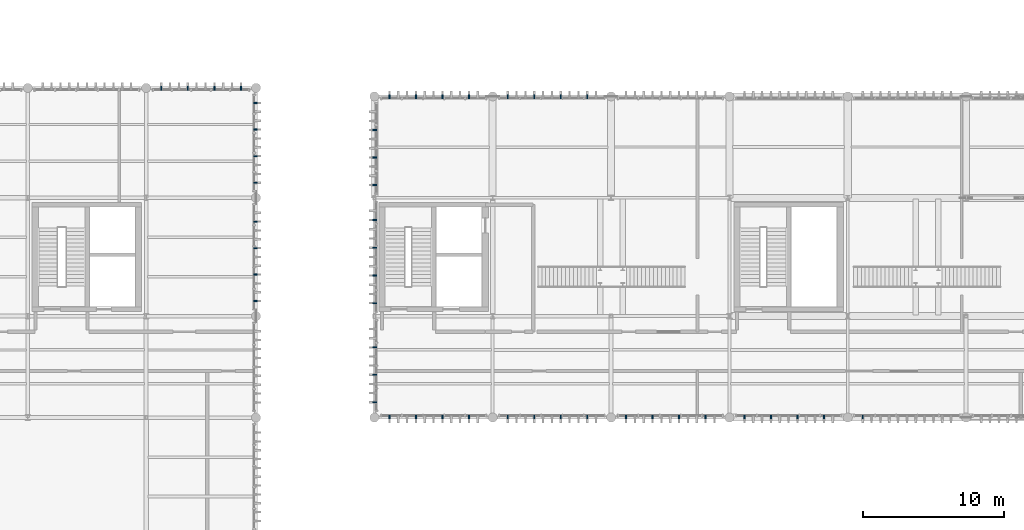
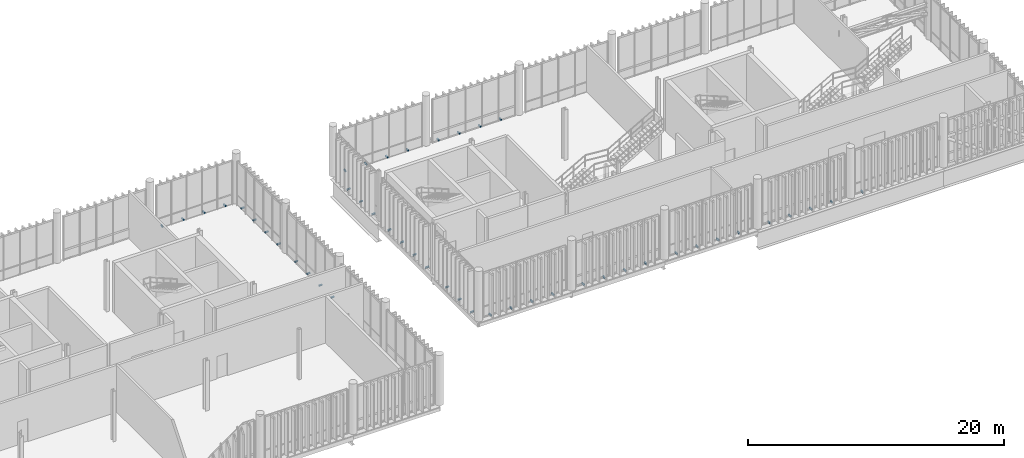
# One storey, part 77 of 86: 47 discrete accessories.
"""IFC4 building model written with IfcOpenShell, lengths in metres."""

from ifc_helpers import new_model, si_unit, direction, frame, origin_with_axes, origin_2d_with_axis, place, context, subcontext, project, spatial, rectangle, extrude, material, type_object, element, save


model = new_model("IFC4")

# Units and contexts
model_context = context("Model", 3, precision=1e-05, world=origin_with_axes(), true_north=direction((0.0, 1.0)))
body_context = subcontext(model_context, "Body", "Model", "MODEL_VIEW")
ifc_project = project(units=[si_unit("LENGTHUNIT", "METRE"), si_unit("AREAUNIT", "SQUARE_METRE"), si_unit("VOLUMEUNIT", "CUBIC_METRE"), si_unit("PLANEANGLEUNIT", "RADIAN"), si_unit("MASSUNIT", "GRAM", prefix="KILO"), si_unit("THERMODYNAMICTEMPERATUREUNIT", "KELVIN")], contexts=[model_context])

# Site, building, storey
site_placement = place(None, origin_with_axes())
site = spatial("IfcSite", under=ifc_project, at=site_placement, CompositionType="ELEMENT")
building_placement = place(site_placement, origin_with_axes())
building = spatial("IfcBuilding", under=site, at=building_placement, Name="Montbau Bow Law Courts", CompositionType="ELEMENT")
storey_placement = place(building_placement, frame((0.0, 0.0, 29.7), z_axis=(0.0, 0.0, 1.0), x_axis=(1.0, 0.0, 0.0)))
storey = spatial("IfcBuildingStorey", under=building, at=storey_placement, Name="L06", CompositionType="ELEMENT", Elevation=29.7)

# Discrete accessories
ifc_material = material(Name="Stainless Steel AISI 316L Outrigger Louvre Bracket", Category="steel")
discrete_accessory_type = type_object("IfcDiscreteAccessoryType", Name="DA-BRK-01", PredefinedType="BRACKET", material=ifc_material)
for number, where, z_axis, x_axis, name in (
    (1, (40.069, 62.36, 29.7), (0.0, 0.0, 1.0), (0.0, 1.0, 0.0), "BRK-L06-0333:brk_0333"),
    (2, (41.956, 62.36, 29.7), (0.0, 0.0, 1.0), (0.0, 1.0, 0.0), "BRK-L06-0334:brk_0334"),
    (3, (43.844, 62.36, 29.7), (0.0, 0.0, 1.0), (0.0, 1.0, 0.0), "BRK-L06-0335:brk_0335"),
    (4, (45.731, 62.36, 29.7), (0.0, 0.0, 1.0), (0.0, 1.0, 0.0), "BRK-L06-0336:brk_0336"),
    (5, (46.76, 47.267, 29.7), (0.0, 0.0, 1.0), (1.0, 0.0, 0.0), "BRK-L06-0359:brk_0359"),
    (6, (46.76, 49.147, 29.7), (0.0, 0.0, 1.0), (1.0, 0.0, 0.0), "BRK-L06-0360:brk_0360"),
    (7, (46.76, 51.027, 29.7), (0.0, 0.0, 1.0), (1.0, 0.0, 0.0), "BRK-L06-0361:brk_0361"),
    (8, (46.76, 52.907, 29.7), (0.0, 0.0, 1.0), (1.0, 0.0, 0.0), "BRK-L06-0362:brk_0362"),
    (9, (46.76, 55.669, 29.7), (0.0, 0.0, 1.0), (1.0, 0.0, 0.0), "BRK-L06-0363:brk_0363"),
    (10, (46.76, 57.556, 29.7), (0.0, 0.0, 1.0), (1.0, 0.0, 0.0), "BRK-L06-0364:brk_0364"),
    (11, (46.76, 59.444, 29.7), (0.0, 0.0, 1.0), (1.0, 0.0, 0.0), "BRK-L06-0365:brk_0365"),
    (12, (46.76, 61.331, 29.7), (0.0, 0.0, 1.0), (1.0, 0.0, 0.0), "BRK-L06-0366:brk_0366"),
    (13, (56.267, 39.04, 29.7), (0.0, 0.0, 1.0), (0.0, -1.0, 0.0), "BRK-L06-0727:brk_0727"),
    (14, (58.147, 39.04, 29.7), (0.0, 0.0, 1.0), (0.0, -1.0, 0.0), "BRK-L06-0728:brk_0728"),
    (15, (60.027, 39.04, 29.7), (0.0, 0.0, 1.0), (0.0, -1.0, 0.0), "BRK-L06-0729:brk_0729"),
    (16, (61.907, 39.04, 29.7), (0.0, 0.0, 1.0), (0.0, -1.0, 0.0), "BRK-L06-0730:brk_0730"),
    (17, (64.667, 39.04, 29.7), (0.0, 0.0, 1.0), (0.0, -1.0, 0.0), "BRK-L06-0731:brk_0731"),
    (18, (66.547, 39.04, 29.7), (0.0, 0.0, 1.0), (0.0, -1.0, 0.0), "BRK-L06-0732:brk_0732"),
    (19, (68.427, 39.04, 29.7), (0.0, 0.0, 1.0), (0.0, -1.0, 0.0), "BRK-L06-0733:brk_0733"),
    (20, (70.307, 39.04, 29.7), (0.0, 0.0, 1.0), (0.0, -1.0, 0.0), "BRK-L06-0734:brk_0734"),
    (21, (73.067, 39.04, 29.7), (0.0, 0.0, 1.0), (0.0, -1.0, 0.0), "BRK-L06-0735:brk_0735"),
    (22, (74.947, 39.04, 29.7), (0.0, 0.0, 1.0), (0.0, -1.0, 0.0), "BRK-L06-0736:brk_0736"),
    (23, (76.827, 39.04, 29.7), (0.0, 0.0, 1.0), (0.0, -1.0, 0.0), "BRK-L06-0737:brk_0737"),
    (24, (78.707, 39.04, 29.7), (0.0, 0.0, 1.0), (0.0, -1.0, 0.0), "BRK-L06-0738:brk_0738"),
    (25, (81.467, 39.04, 29.7), (0.0, 0.0, 1.0), (0.0, -1.0, 0.0), "BRK-L06-0739:brk_0739"),
    (26, (83.347, 39.04, 29.7), (0.0, 0.0, 1.0), (0.0, -1.0, 0.0), "BRK-L06-0740:brk_0740"),
    (27, (85.227, 39.04, 29.7), (0.0, 0.0, 1.0), (0.0, -1.0, 0.0), "BRK-L06-0741:brk_0741"),
    (28, (87.107, 39.04, 29.7), (0.0, 0.0, 1.0), (0.0, -1.0, 0.0), "BRK-L06-0742:brk_0742"),
    (29, (89.867, 39.04, 29.7), (0.0, 0.0, 1.0), (0.0, -1.0, 0.0), "BRK-L06-0743:brk_0743"),
    (30, (56.267, 61.76, 29.7), (0.0, 0.0, 1.0), (0.0, 1.0, 0.0), "BRK-L06-0751:brk_0751"),
    (31, (58.147, 61.76, 29.7), (0.0, 0.0, 1.0), (0.0, 1.0, 0.0), "BRK-L06-0752:brk_0752"),
    (32, (60.027, 61.76, 29.7), (0.0, 0.0, 1.0), (0.0, 1.0, 0.0), "BRK-L06-0753:brk_0753"),
    (33, (61.907, 61.76, 29.7), (0.0, 0.0, 1.0), (0.0, 1.0, 0.0), "BRK-L06-0754:brk_0754"),
    (34, (64.667, 61.76, 29.7), (0.0, 0.0, 1.0), (0.0, 1.0, 0.0), "BRK-L06-0755:brk_0755"),
    (35, (66.547, 61.76, 29.7), (0.0, 0.0, 1.0), (0.0, 1.0, 0.0), "BRK-L06-0756:brk_0756"),
    (36, (68.427, 61.76, 29.7), (0.0, 0.0, 1.0), (0.0, 1.0, 0.0), "BRK-L06-0757:brk_0757"),
    (37, (70.307, 61.76, 29.7), (0.0, 0.0, 1.0), (0.0, 1.0, 0.0), "BRK-L06-0758:brk_0758"),
    (38, (55.24, 40.089, 29.7), (0.0, 0.0, 1.0), (-1.0, 0.0, 0.0), "BRK-L06-0775:brk_0775"),
    (39, (55.24, 42.037, 29.7), (0.0, 0.0, 1.0), (-1.0, 0.0, 0.0), "BRK-L06-0776:brk_0776"),
    (40, (55.24, 43.984, 29.7), (0.0, 0.0, 1.0), (-1.0, 0.0, 0.0), "BRK-L06-0777:brk_0777"),
    (41, (55.24, 47.123, 29.7), (0.0, 0.0, 1.0), (-1.0, 0.0, 0.0), "BRK-L06-0778:brk_0778"),
    (42, (55.24, 49.089, 29.7), (0.0, 0.0, 1.0), (-1.0, 0.0, 0.0), "BRK-L06-0779:brk_0779"),
    (43, (55.24, 51.055, 29.7), (0.0, 0.0, 1.0), (-1.0, 0.0, 0.0), "BRK-L06-0780:brk_0780"),
    (44, (55.24, 53.021, 29.7), (0.0, 0.0, 1.0), (-1.0, 0.0, 0.0), "BRK-L06-0781:brk_0781"),
    (45, (55.24, 55.517, 29.7), (0.0, 0.0, 1.0), (-1.0, 0.0, 0.0), "BRK-L06-0782:brk_0782"),
    (46, (55.24, 57.465, 29.7), (0.0, 0.0, 1.0), (-1.0, 0.0, 0.0), "BRK-L06-0783:brk_0783"),
    (47, (55.24, 59.412, 29.7), (0.0, 0.0, 1.0), (-1.0, 0.0, 0.0), "BRK-L06-0784:brk_0784"),
):
    element("IfcDiscreteAccessory", number, at=place(None, frame(where, z_axis=z_axis, x_axis=x_axis)), inside=storey, type_object=discrete_accessory_type, Name=name, PredefinedType="BRACKET", context=body_context, shape_type="SweptSolid", body=[
        extrude(rectangle(XDim=0.28, YDim=0.09, at=origin_2d_with_axis()), origin_with_axes(), (0.0, 0.0, 1.0), 0.12),
    ])

save(model, "model.ifc")
